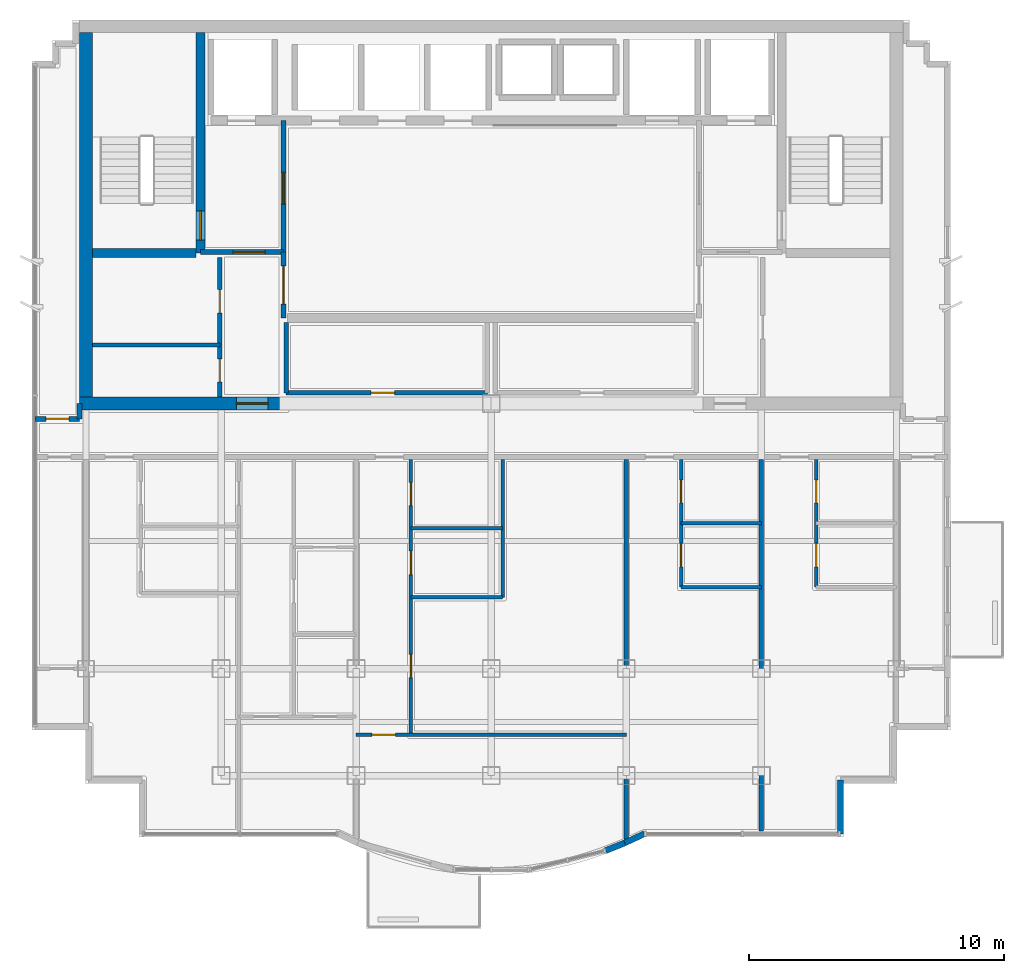
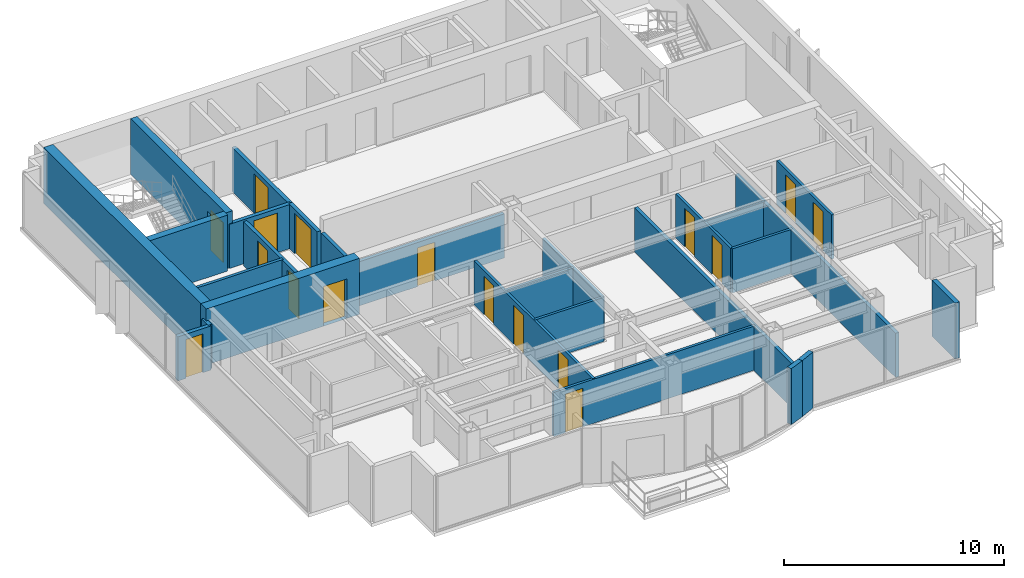
# One storey, part 5 of 9: 27 walls, 17 doors, 17 openings.
"""IFC4 building model written with IfcOpenShell, lengths in metres."""

from ifc_helpers import new_model, si_unit, direction, frame, frame_2d, origin, place, context, subcontext, project, spatial, rectangle, extrude, material, layer, layer_set, type_object, element, fill, save


model = new_model("IFC4")

# Units and contexts
model_context = context("Model", 3, precision=1e-05, world=origin(), true_north=direction((0.0, 1.0)))
body_context = subcontext(model_context, "Body", "Model", "MODEL_VIEW")
ifc_project = project(units=[si_unit("LENGTHUNIT", "METRE"), si_unit("AREAUNIT", "SQUARE_METRE"), si_unit("VOLUMEUNIT", "CUBIC_METRE"), si_unit("PLANEANGLEUNIT", "RADIAN"), si_unit("MASSUNIT", "GRAM", prefix="KILO")], contexts=[model_context])

# Site, building, storey
site_placement = place(None, origin())
site = spatial("IfcSite", under=ifc_project, at=site_placement, CompositionType="ELEMENT")
building_placement = place(site_placement, origin())
building = spatial("IfcBuilding", under=site, at=building_placement, Name="Qianlan Lanfeng Residences", CompositionType="ELEMENT")
storey_placement = place(building_placement, frame((0.0, 0.0, 242.89990234375)))
storey = spatial("IfcBuildingStorey", under=building, at=storey_placement, Name="L67", CompositionType="ELEMENT", Elevation=242.89990234375)

# Wall, opening, door
ifc_material_1 = material(Name="Concrete C49", Category="concrete")
ifc_layer_1 = layer(ifc_material_1, 0.35009765625)
ifc_layer_set_1 = layer_set([ifc_layer_1], Name="Concrete C49")
wall_type_1 = type_object("IfcWallType", Name="CW-RC-350", PredefinedType="SHEAR", material=ifc_layer_set_1)
wall_1_placement = place(storey_placement, frame((15.10009765625, 31.10009765625, 0.0), z_axis=(0.0, 0.0, 1.0), x_axis=(0.0, 1.0, 0.0)))
wall_1 = element("IfcWall", 1, at=wall_1_placement, inside=storey, type_object=wall_type_1, Name="L67 Core Shear Wall ST1E", PredefinedType="SHEAR", context=body_context, shape_type="SweptSolid", body=[
    extrude(rectangle(XDim=8.64990234375, YDim=0.35009765625, at=frame_2d((4.324951171875, 0.0))), origin(), (0.0, 0.0, 1.0), 3.110107421875),
])
opening_1_placement = place(wall_1_placement, frame((0.510009765625, 0.0, 0.0)))
opening_1 = element("IfcOpeningElement", 2, at=opening_1_placement, cuts=wall_1, Name="Opening L67-D07", PredefinedType="OPENING", context=body_context, shape_type="SweptSolid", body=[
    extrude(rectangle(XDim=1.14990234375, YDim=2.199951171875, at=frame_2d((0.574951171875, 1.10009765625))), frame((0.0, 0.18505859375, 0.0), z_axis=(0.0, -1.0, 0.0), x_axis=(1.0, 0.0, 0.0)), (0.0, 0.0, 1.0), 0.3701171875),
])
ifc_material_2 = material(Name="Painted Galvanised Steel Fire Door", Category="steel")
door_type_1 = type_object("IfcDoorType", Name="DT-ST1", OperationType="NOTDEFINED", PredefinedType="DOOR", material=ifc_material_2)
door_1_placement = place(opening_1_placement, frame((1.14990234375, 0.0, 0.0), z_axis=(0.0, 0.0, 1.0), x_axis=(-1.0, 0.0, 0.0)))
door_1 = element("IfcDoor", 3, at=door_1_placement, inside=storey, type_object=door_type_1, Name="L67 Exit Stair ST-1 Door L67-D07 (DT-ST1)", OperationType="SINGLE_SWING_RIGHT", OverallHeight=2.199951171875, OverallWidth=1.14990234375, PredefinedType="DOOR", context=body_context, shape_type="SweptSolid", body=[
    extrude(rectangle(XDim=1.14990234375, YDim=2.199951171875, at=frame_2d((0.574951171875, 1.10009765625))), frame((0.0, 0.02490234375, 0.0), z_axis=(0.0, -1.0, 0.0), x_axis=(1.0, 0.0, 0.0)), (0.0, 0.0, 1.0), 0.050048828125),
])
fill(opening_1, door_1)

# Walls
wall_2_placement = place(storey_placement, frame((10.85009765625, 31.10009765625, 0.0), z_axis=(0.0, 0.0, 1.0), x_axis=(1.0, 0.0, 0.0)))
element("IfcWall", 4, at=wall_2_placement, inside=storey, type_object=wall_type_1, Name="L67 Core Shear Wall ST1S", PredefinedType="SHEAR", context=body_context, shape_type="SweptSolid", body=[
    extrude(rectangle(XDim=4.074951171875, YDim=0.35009765625, at=frame_2d((2.03759765625, 0.0))), origin(), (0.0, 0.0, 1.0), 3.110107421875),
])
ifc_material_3 = material(Name="Concrete C70", Category="concrete")
ifc_layer_2 = layer(ifc_material_3, 0.5)
ifc_layer_set_2 = layer_set([ifc_layer_2], Name="Concrete C70")
wall_type_2 = type_object("IfcWallType", Name="CW-RC-500", PredefinedType="SHEAR", material=ifc_layer_set_2)
wall_3_placement = place(storey_placement, frame((10.60009765625, 25.449951171875, 0.0), z_axis=(0.0, 0.0, 1.0), x_axis=(0.0, 1.0, 0.0)))
element("IfcWall", 5, at=wall_3_placement, inside=storey, type_object=wall_type_2, Name="L67 Core Shear Wall W", PredefinedType="SHEAR", context=body_context, shape_type="SweptSolid", body=[
    extrude(rectangle(XDim=14.300048828125, YDim=0.5, at=frame_2d((7.14990234375, 0.0))), origin(), (0.0, 0.0, 1.0), 3.110107421875),
])

# Wall, opening, door
wall_4_placement = place(storey_placement, frame((10.35009765625, 25.199951171875, 0.0), z_axis=(0.0, 0.0, 1.0), x_axis=(1.0, 0.0, 0.0)))
wall_4 = element("IfcWall", 6, at=wall_4_placement, inside=storey, type_object=wall_type_2, Name="L67 Core Shear Wall SW", PredefinedType="SHEAR", context=body_context, shape_type="SweptSolid", body=[
    extrude(rectangle(XDim=8.0498046875, YDim=0.5, at=frame_2d((4.02490234375, 0.0))), origin(), (0.0, 0.0, 1.0), 3.110107421875),
])
opening_2_placement = place(wall_4_placement, frame((6.14990234375, 0.0, 0.0)))
opening_2 = element("IfcOpeningElement", 7, at=opening_2_placement, cuts=wall_4, Name="Opening L67-D01", PredefinedType="OPENING", context=body_context, shape_type="SweptSolid", body=[
    extrude(rectangle(XDim=1.25, YDim=2.199951171875, at=frame_2d((0.625, 1.10009765625))), frame((0.0, 0.260009765625, 0.0), z_axis=(0.0, -1.0, 0.0), x_axis=(1.0, 0.0, 0.0)), (0.0, 0.0, 1.0), 0.52001953125),
])
door_type_2 = type_object("IfcDoorType", Name="DT-FFL", OperationType="NOTDEFINED", PredefinedType="DOOR", material=ifc_material_2)
door_2_placement = place(opening_2_placement, frame((1.25, 0.0, 0.0), z_axis=(0.0, 0.0, 1.0), x_axis=(-1.0, 0.0, 0.0)))
door_2 = element("IfcDoor", 8, at=door_2_placement, inside=storey, type_object=door_type_2, Name="L67 West Core Lobby Smoke Door L67-D01 (DT-FFL)", OperationType="SINGLE_SWING_RIGHT", OverallHeight=2.199951171875, OverallWidth=1.25, PredefinedType="DOOR", context=body_context, shape_type="SweptSolid", body=[
    extrude(rectangle(XDim=1.25, YDim=2.199951171875, at=frame_2d((0.625, 1.10009765625))), frame((0.0, 0.02490234375, 0.0), z_axis=(0.0, -1.0, 0.0), x_axis=(1.0, 0.0, 0.0)), (0.0, 0.0, 1.0), 0.050048828125),
])
fill(opening_2, door_2)

# Walls
ifc_material_4 = material(Name="Concrete C42", Category="concrete")
ifc_layer_3 = layer(ifc_material_4, 0.239990234375)
ifc_layer_set_3 = layer_set([ifc_layer_3], Name="Concrete C42")
wall_type_3 = type_object("IfcWallType", Name="EW-240", PredefinedType="SOLIDWALL", material=ifc_layer_set_3)
wall_5_placement = place(storey_placement, frame((30.988037109375, 7.656982421875, 0.0), z_axis=(0.0, 0.0, 1.0), x_axis=(0.927870589467, 0.372902358805, 0.0)))
element("IfcWall", 9, at=wall_5_placement, inside=storey, type_object=wall_type_3, Name="L67 Exterior Facade Spandrel Wall 7", PredefinedType="SOLIDWALL", context=body_context, shape_type="SweptSolid", body=[
    extrude(rectangle(XDim=0.80712890625, YDim=0.239990234375, at=frame_2d((0.403564453125, 0.0))), origin(), (0.0, 0.0, 1.0), 3.110107421875),
])
wall_6_placement = place(storey_placement, frame((31.737060546875, 7.9580078125, 0.0), z_axis=(0.0, 0.0, 1.0), x_axis=(0.906190424584, 0.422869855147, 0.0)))
element("IfcWall", 10, at=wall_6_placement, inside=storey, type_object=wall_type_3, Name="L67 Exterior Facade Spandrel Wall 8", PredefinedType="SOLIDWALL", context=body_context, shape_type="SweptSolid", body=[
    extrude(rectangle(XDim=0.856201171875, YDim=0.239990234375, at=frame_2d((0.42822265625, 0.0))), origin(), (0.0, 0.0, 1.0), 3.110107421875),
])
wall_7_placement = place(storey_placement, frame((40.199951171875, 8.320068359375, 0.0), z_axis=(0.0, 0.0, 1.0), x_axis=(0.0, 1.0, 0.0)))
element("IfcWall", 11, at=wall_7_placement, inside=storey, type_object=wall_type_3, Name="L67 Exterior Facade Spandrel Wall 9", PredefinedType="SOLIDWALL", context=body_context, shape_type="SweptSolid", body=[
    extrude(rectangle(XDim=2.099853515625, YDim=0.239990234375, at=frame_2d((1.0498046875, 0.0))), origin(), (0.0, 0.0, 1.0), 3.110107421875),
])

# Wall, opening, door
ifc_material_5 = material(Name="Moisture-Resistant Gypsum Partition 135 mm")
ifc_layer_4 = layer(ifc_material_5, 0.135009765625)
ifc_layer_set_4 = layer_set([ifc_layer_4], Name="Moisture-Resistant Gypsum Partition 135 mm")
wall_type_4 = type_object("IfcWallType", Name="PW-135", PredefinedType="PARTITIONING", material=ifc_layer_set_4)
wall_8_placement = place(storey_placement, frame((21.199951171875, 12.202880859375, 0.0), z_axis=(0.0, 0.0, 1.0), x_axis=(1.0, 0.0, 0.0)))
wall_8 = element("IfcWall", 12, at=wall_8_placement, inside=storey, type_object=wall_type_4, Name="L67 U02 Living Divider", PredefinedType="PARTITIONING", context=body_context, shape_type="SweptSolid", body=[
    extrude(rectangle(XDim=10.60009765625, YDim=0.135009765625, at=frame_2d((5.300048828125, 0.0))), origin(), (0.0, 0.0, 1.0), 2.4501953125),
])
opening_3_placement = place(wall_8_placement, frame((0.614990234375, 0.0, 0.0)))
opening_3 = element("IfcOpeningElement", 13, at=opening_3_placement, cuts=wall_8, Name="Opening L67-D25", PredefinedType="OPENING", context=body_context, shape_type="SweptSolid", body=[
    extrude(rectangle(XDim=0.919921875, YDim=2.14990234375, at=frame_2d((0.4599609375, 1.074951171875))), frame((0.0, 0.07763671875, 0.0), z_axis=(0.0, -1.0, 0.0), x_axis=(1.0, 0.0, 0.0)), (0.0, 0.0, 1.0), 0.155029296875),
])
ifc_material_6 = material(Name="Glazed Timber Kitchen/Study Door", Category="wood")
door_type_3 = type_object("IfcDoorType", Name="DT-INT", OperationType="NOTDEFINED", PredefinedType="DOOR", material=ifc_material_6)
door_3_placement = place(opening_3_placement, frame((0.919921875, 0.0, 0.0), z_axis=(0.0, 0.0, 1.0), x_axis=(-1.0, 0.0, 0.0)))
door_3 = element("IfcDoor", 14, at=door_3_placement, inside=storey, type_object=door_type_3, Name="L67 U02 Living Passage Door L67-D25 (DT-INT)", OperationType="SINGLE_SWING_RIGHT", OverallHeight=2.14990234375, OverallWidth=0.919921875, PredefinedType="DOOR", context=body_context, shape_type="SweptSolid", body=[
    extrude(rectangle(XDim=0.919921875, YDim=2.14990234375, at=frame_2d((0.4599609375, 1.074951171875))), frame((0.0, 0.02490234375, 0.0), z_axis=(0.0, -1.0, 0.0), x_axis=(1.0, 0.0, 0.0)), (0.0, 0.0, 1.0), 0.050048828125),
])
fill(opening_3, door_3)

# Wall, openings, doors
wall_9_placement = place(storey_placement, frame((23.35009765625, 12.202880859375, 0.0), z_axis=(0.0, 0.0, 1.0), x_axis=(0.0, 1.0, 0.0)))
wall_9 = element("IfcWall", 15, at=wall_9_placement, inside=storey, type_object=wall_type_4, Name="L67 U02 Entry Hall Spine", PredefinedType="PARTITIONING", context=body_context, shape_type="SweptSolid", body=[
    extrude(rectangle(XDim=10.797119140625, YDim=0.135009765625, at=frame_2d((5.3984375, 0.0))), origin(), (0.0, 0.0, 1.0), 2.4501953125),
])
opening_4_placement = place(wall_9_placement, frame((2.239013671875, 0.0, 0.0)))
opening_4 = element("IfcOpeningElement", 16, at=opening_4_placement, cuts=wall_9, Name="Opening L67-D26", PredefinedType="OPENING", context=body_context, shape_type="SweptSolid", body=[
    extrude(rectangle(XDim=0.919921875, YDim=2.14990234375, at=frame_2d((0.4599609375, 1.074951171875))), frame((0.0, 0.07763671875, 0.0), z_axis=(0.0, -1.0, 0.0), x_axis=(1.0, 0.0, 0.0)), (0.0, 0.0, 1.0), 0.155029296875),
])
opening_5_placement = place(wall_9_placement, frame((6.287109375, 0.0, 0.0)))
opening_5 = element("IfcOpeningElement", 17, at=opening_5_placement, cuts=wall_9, Name="Opening L67-D27", PredefinedType="OPENING", context=body_context, shape_type="SweptSolid", body=[
    extrude(rectangle(XDim=0.919921875, YDim=2.14990234375, at=frame_2d((0.4599609375, 1.074951171875))), frame((0.0, 0.07763671875, 0.0), z_axis=(0.0, -1.0, 0.0), x_axis=(1.0, 0.0, 0.0)), (0.0, 0.0, 1.0), 0.155029296875),
])
opening_6_placement = place(wall_9_placement, frame((8.9970703125, 0.0, 0.0)))
opening_6 = element("IfcOpeningElement", 18, at=opening_6_placement, cuts=wall_9, Name="Opening L67-D28", PredefinedType="OPENING", context=body_context, shape_type="SweptSolid", body=[
    extrude(rectangle(XDim=0.89990234375, YDim=2.14990234375, at=frame_2d((0.449951171875, 1.074951171875))), frame((0.0, 0.07763671875, 0.0), z_axis=(0.0, -1.0, 0.0), x_axis=(1.0, 0.0, 0.0)), (0.0, 0.0, 1.0), 0.155029296875),
])
door_4_placement = place(opening_4_placement, origin())
door_4 = element("IfcDoor", 19, at=door_4_placement, inside=storey, type_object=door_type_3, Name="L67 U02 Study Door L67-D26 (DT-INT)", OperationType="SINGLE_SWING_RIGHT", OverallHeight=2.14990234375, OverallWidth=0.919921875, PredefinedType="DOOR", context=body_context, shape_type="SweptSolid", body=[
    extrude(rectangle(XDim=0.919921875, YDim=2.14990234375, at=frame_2d((0.4599609375, 1.074951171875))), frame((0.0, 0.02490234375, 0.0), z_axis=(0.0, -1.0, 0.0), x_axis=(1.0, 0.0, 0.0)), (0.0, 0.0, 1.0), 0.050048828125),
])
fill(opening_4, door_4)
door_5_placement = place(opening_5_placement, origin())
door_5 = element("IfcDoor", 20, at=door_5_placement, inside=storey, type_object=door_type_3, Name="L67 U02 Kitchen Door L67-D27 (DT-INT)", OperationType="SINGLE_SWING_LEFT", OverallHeight=2.14990234375, OverallWidth=0.919921875, PredefinedType="DOOR", context=body_context, shape_type="SweptSolid", body=[
    extrude(rectangle(XDim=0.919921875, YDim=2.14990234375, at=frame_2d((0.4599609375, 1.074951171875))), frame((0.0, 0.02490234375, 0.0), z_axis=(0.0, -1.0, 0.0), x_axis=(1.0, 0.0, 0.0)), (0.0, 0.0, 1.0), 0.050048828125),
])
fill(opening_5, door_5)
ifc_material_7 = material(Name="Moisture-Resistant Timber Leaf", Category="wood")
door_type_4 = type_object("IfcDoorType", Name="DT-WC", OperationType="NOTDEFINED", PredefinedType="DOOR", material=ifc_material_7)
door_6_placement = place(opening_6_placement, origin())
door_6 = element("IfcDoor", 21, at=door_6_placement, inside=storey, type_object=door_type_4, Name="L67 U02 Bathroom Door L67-D28 (DT-WC)", OperationType="SINGLE_SWING_RIGHT", OverallHeight=2.14990234375, OverallWidth=0.89990234375, PredefinedType="DOOR", context=body_context, shape_type="SweptSolid", body=[
    extrude(rectangle(XDim=0.89990234375, YDim=2.14990234375, at=frame_2d((0.449951171875, 1.074951171875))), frame((0.0, 0.02490234375, 0.0), z_axis=(0.0, -1.0, 0.0), x_axis=(1.0, 0.0, 0.0)), (0.0, 0.0, 1.0), 0.050048828125),
])
fill(opening_6, door_6)

# Walls
wall_10_placement = place(storey_placement, frame((23.35009765625, 17.60009765625, 0.0), z_axis=(0.0, 0.0, 1.0), x_axis=(1.0, 0.0, 0.0)))
element("IfcWall", 22, at=wall_10_placement, inside=storey, type_object=wall_type_4, Name="L67 U02 Kitchen South Wall", PredefinedType="PARTITIONING", context=body_context, shape_type="SweptSolid", body=[
    extrude(rectangle(XDim=3.599853515625, YDim=0.135009765625, at=frame_2d((1.7998046875, 0.0))), origin(), (0.0, 0.0, 1.0), 2.4501953125),
])
wall_11_placement = place(storey_placement, frame((26.949951171875, 17.60009765625, 0.0), z_axis=(0.0, 0.0, 1.0), x_axis=(0.0, 1.0, 0.0)))
element("IfcWall", 23, at=wall_11_placement, inside=storey, type_object=wall_type_4, Name="L67 U02 Dining East Wall", PredefinedType="PARTITIONING", context=body_context, shape_type="SweptSolid", body=[
    extrude(rectangle(XDim=5.39990234375, YDim=0.135009765625, at=frame_2d((2.699951171875, 0.0))), origin(), (0.0, 0.0, 1.0), 2.4501953125),
])
wall_12_placement = place(storey_placement, frame((23.35009765625, 20.300048828125, 0.0), z_axis=(0.0, 0.0, 1.0), x_axis=(1.0, 0.0, 0.0)))
element("IfcWall", 24, at=wall_12_placement, inside=storey, type_object=wall_type_4, Name="L67 U02 Bathroom South Wall", PredefinedType="PARTITIONING", context=body_context, shape_type="SweptSolid", body=[
    extrude(rectangle(XDim=3.599853515625, YDim=0.135009765625, at=frame_2d((1.7998046875, 0.0))), origin(), (0.0, 0.0, 1.0), 2.4501953125),
])

# Wall, openings, doors
wall_13_placement = place(storey_placement, frame((33.949951171875, 18.0, 0.0), z_axis=(0.0, 0.0, 1.0), x_axis=(0.0, 1.0, 0.0)))
wall_13 = element("IfcWall", 25, at=wall_13_placement, inside=storey, type_object=wall_type_4, Name="L67 U03 Wet Stack Spine", PredefinedType="PARTITIONING", context=body_context, shape_type="SweptSolid", body=[
    extrude(rectangle(XDim=5.0, YDim=0.135009765625, at=frame_2d((2.5, 0.0))), origin(), (0.0, 0.0, 1.0), 2.4501953125),
])
opening_7_placement = place(wall_13_placement, frame((0.7900390625, 0.0, 0.0)))
opening_7 = element("IfcOpeningElement", 26, at=opening_7_placement, cuts=wall_13, Name="Opening L67-D30", PredefinedType="OPENING", context=body_context, shape_type="SweptSolid", body=[
    extrude(rectangle(XDim=0.919921875, YDim=2.14990234375, at=frame_2d((0.4599609375, 1.074951171875))), frame((0.0, 0.07763671875, 0.0), z_axis=(0.0, -1.0, 0.0), x_axis=(1.0, 0.0, 0.0)), (0.0, 0.0, 1.0), 0.155029296875),
])
opening_8_placement = place(wall_13_placement, frame((3.300048828125, 0.0, 0.0)))
opening_8 = element("IfcOpeningElement", 27, at=opening_8_placement, cuts=wall_13, Name="Opening L67-D31", PredefinedType="OPENING", context=body_context, shape_type="SweptSolid", body=[
    extrude(rectangle(XDim=0.89990234375, YDim=2.14990234375, at=frame_2d((0.449951171875, 1.074951171875))), frame((0.0, 0.07763671875, 0.0), z_axis=(0.0, -1.0, 0.0), x_axis=(1.0, 0.0, 0.0)), (0.0, 0.0, 1.0), 0.155029296875),
])
door_7_placement = place(opening_7_placement, origin())
door_7 = element("IfcDoor", 28, at=door_7_placement, inside=storey, type_object=door_type_3, Name="L67 U03 Kitchen Door L67-D30 (DT-INT)", OperationType="SINGLE_SWING_RIGHT", OverallHeight=2.14990234375, OverallWidth=0.919921875, PredefinedType="DOOR", context=body_context, shape_type="SweptSolid", body=[
    extrude(rectangle(XDim=0.919921875, YDim=2.14990234375, at=frame_2d((0.4599609375, 1.074951171875))), frame((0.0, 0.02490234375, 0.0), z_axis=(0.0, -1.0, 0.0), x_axis=(1.0, 0.0, 0.0)), (0.0, 0.0, 1.0), 0.050048828125),
])
fill(opening_7, door_7)
door_8_placement = place(opening_8_placement, origin())
door_8 = element("IfcDoor", 29, at=door_8_placement, inside=storey, type_object=door_type_4, Name="L67 U03 Bathroom Door L67-D31 (DT-WC)", OperationType="SINGLE_SWING_LEFT", OverallHeight=2.14990234375, OverallWidth=0.89990234375, PredefinedType="DOOR", context=body_context, shape_type="SweptSolid", body=[
    extrude(rectangle(XDim=0.89990234375, YDim=2.14990234375, at=frame_2d((0.449951171875, 1.074951171875))), frame((0.0, 0.02490234375, 0.0), z_axis=(0.0, -1.0, 0.0), x_axis=(1.0, 0.0, 0.0)), (0.0, 0.0, 1.0), 0.050048828125),
])
fill(opening_8, door_8)

# Walls
for number, where, z_axis, x_axis, name in (
    (30, (33.949951171875, 18.0, 0.0), (0.0, 0.0, 1.0), (1.0, 0.0, 0.0), "L67 U03 Kitchen South Wall"),
    (31, (33.949951171875, 20.5, 0.0), (0.0, 0.0, 1.0), (1.0, 0.0, 0.0), "L67 U03 Bathroom South Wall"),
):
    element("IfcWall", number, at=place(storey_placement, frame(where, z_axis=z_axis, x_axis=x_axis)), inside=storey, type_object=wall_type_4, Name=name, PredefinedType="PARTITIONING", context=body_context, shape_type="SweptSolid", body=[
        extrude(rectangle(XDim=3.150146484375, YDim=0.135009765625, at=frame_2d((1.5751953125, 0.0))), origin(), (0.0, 0.0, 1.0), 2.4501953125),
    ])

# Wall, openings, doors
wall_14_placement = place(storey_placement, frame((39.25, 18.0, 0.0), z_axis=(0.0, 0.0, 1.0), x_axis=(0.0, 1.0, 0.0)))
wall_14 = element("IfcWall", 32, at=wall_14_placement, inside=storey, type_object=wall_type_4, Name="L67 U04 Wet Stack Spine", PredefinedType="PARTITIONING", context=body_context, shape_type="SweptSolid", body=[
    extrude(rectangle(XDim=5.0, YDim=0.135009765625, at=frame_2d((2.5, 0.0))), origin(), (0.0, 0.0, 1.0), 2.4501953125),
])
opening_9_placement = place(wall_14_placement, frame((0.7900390625, 0.0, 0.0)))
opening_9 = element("IfcOpeningElement", 33, at=opening_9_placement, cuts=wall_14, Name="Opening L67-D33", PredefinedType="OPENING", context=body_context, shape_type="SweptSolid", body=[
    extrude(rectangle(XDim=0.919921875, YDim=2.14990234375, at=frame_2d((0.4599609375, 1.074951171875))), frame((0.0, 0.07763671875, 0.0), z_axis=(0.0, -1.0, 0.0), x_axis=(1.0, 0.0, 0.0)), (0.0, 0.0, 1.0), 0.155029296875),
])
opening_10_placement = place(wall_14_placement, frame((3.300048828125, 0.0, 0.0)))
opening_10 = element("IfcOpeningElement", 34, at=opening_10_placement, cuts=wall_14, Name="Opening L67-D34", PredefinedType="OPENING", context=body_context, shape_type="SweptSolid", body=[
    extrude(rectangle(XDim=0.89990234375, YDim=2.14990234375, at=frame_2d((0.449951171875, 1.074951171875))), frame((0.0, 0.07763671875, 0.0), z_axis=(0.0, -1.0, 0.0), x_axis=(1.0, 0.0, 0.0)), (0.0, 0.0, 1.0), 0.155029296875),
])
door_9_placement = place(opening_9_placement, origin())
door_9 = element("IfcDoor", 35, at=door_9_placement, inside=storey, type_object=door_type_3, Name="L67 U04 Kitchen Door L67-D33 (DT-INT)", OperationType="SINGLE_SWING_LEFT", OverallHeight=2.14990234375, OverallWidth=0.919921875, PredefinedType="DOOR", context=body_context, shape_type="SweptSolid", body=[
    extrude(rectangle(XDim=0.919921875, YDim=2.14990234375, at=frame_2d((0.4599609375, 1.074951171875))), frame((0.0, 0.02490234375, 0.0), z_axis=(0.0, -1.0, 0.0), x_axis=(1.0, 0.0, 0.0)), (0.0, 0.0, 1.0), 0.050048828125),
])
fill(opening_9, door_9)
door_10_placement = place(opening_10_placement, origin())
door_10 = element("IfcDoor", 36, at=door_10_placement, inside=storey, type_object=door_type_4, Name="L67 U04 Bathroom Door L67-D34 (DT-WC)", OperationType="SINGLE_SWING_RIGHT", OverallHeight=2.14990234375, OverallWidth=0.89990234375, PredefinedType="DOOR", context=body_context, shape_type="SweptSolid", body=[
    extrude(rectangle(XDim=0.89990234375, YDim=2.14990234375, at=frame_2d((0.449951171875, 1.074951171875))), frame((0.0, 0.02490234375, 0.0), z_axis=(0.0, -1.0, 0.0), x_axis=(1.0, 0.0, 0.0)), (0.0, 0.0, 1.0), 0.050048828125),
])
fill(opening_10, door_10)

# Wall
ifc_material_8 = material(Name="Acoustic Drywall Partition 150 mm")
ifc_layer_5 = layer(ifc_material_8, 0.14990234375)
ifc_layer_set_5 = layer_set([ifc_layer_5], Name="Acoustic Drywall Partition 150 mm")
wall_type_5 = type_object("IfcWallType", Name="PW-150", PredefinedType="PARTITIONING", material=ifc_layer_set_5)
wall_15_placement = place(storey_placement, frame((10.85009765625, 27.5, 0.0), z_axis=(0.0, 0.0, 1.0), x_axis=(1.0, 0.0, 0.0)))
element("IfcWall", 37, at=wall_15_placement, inside=storey, type_object=wall_type_5, Name="L67 Core West Split", PredefinedType="PARTITIONING", context=body_context, shape_type="SweptSolid", body=[
    extrude(rectangle(XDim=5.0, YDim=0.14990234375, at=frame_2d((2.5, 0.0))), origin(), (0.0, 0.0, 1.0), 2.4501953125),
])

# Wall, openings, doors
ifc_material_9 = material(Name="Double-Layer Acoustic Gypsum Stud Wall 180 mm")
ifc_layer_6 = layer(ifc_material_9, 0.179931640625)
ifc_layer_set_6 = layer_set([ifc_layer_6], Name="Double-Layer Acoustic Gypsum Stud Wall 180 mm")
wall_type_6 = type_object("IfcWallType", Name="PW-180", PredefinedType="PARTITIONING", material=ifc_layer_set_6)
wall_16_placement = place(storey_placement, frame((15.85009765625, 25.449951171875, 0.0), z_axis=(0.0, 0.0, 1.0), x_axis=(0.0, 1.0, 0.0)))
wall_16 = element("IfcWall", 38, at=wall_16_placement, inside=storey, type_object=wall_type_6, Name="L67 Core West Service Room Wall", PredefinedType="PARTITIONING", context=body_context, shape_type="SweptSolid", body=[
    extrude(rectangle(XDim=5.47509765625, YDim=0.179931640625, at=frame_2d((2.737548828125, 0.0))), origin(), (0.0, 0.0, 1.0), 2.4501953125),
])
opening_11_placement = place(wall_16_placement, frame((0.60009765625, 0.0, 0.0)))
opening_11 = element("IfcOpeningElement", 39, at=opening_11_placement, cuts=wall_16, Name="Opening L67-D09", PredefinedType="OPENING", context=body_context, shape_type="SweptSolid", body=[
    extrude(rectangle(XDim=0.89990234375, YDim=2.14990234375, at=frame_2d((0.449951171875, 1.074951171875))), frame((0.0, 0.10009765625, 0.0), z_axis=(0.0, -1.0, 0.0), x_axis=(1.0, 0.0, 0.0)), (0.0, 0.0, 1.0), 0.199951171875),
])
opening_12_placement = place(wall_16_placement, frame((3.302001953125, 0.0, 0.0)))
opening_12 = element("IfcOpeningElement", 40, at=opening_12_placement, cuts=wall_16, Name="Opening L67-D10", PredefinedType="OPENING", context=body_context, shape_type="SweptSolid", body=[
    extrude(rectangle(XDim=0.919921875, YDim=2.14990234375, at=frame_2d((0.4599609375, 1.074951171875))), frame((0.0, 0.10009765625, 0.0), z_axis=(0.0, -1.0, 0.0), x_axis=(1.0, 0.0, 0.0)), (0.0, 0.0, 1.0), 0.199951171875),
])
door_11_placement = place(opening_12_placement, origin())
door_11 = element("IfcDoor", 41, at=door_11_placement, inside=storey, type_object=door_type_3, Name="L67 Janitor Closet Door L67-D10 (DT-INT)", OperationType="SINGLE_SWING_RIGHT", OverallHeight=2.14990234375, OverallWidth=0.919921875, PredefinedType="DOOR", context=body_context, shape_type="SweptSolid", body=[
    extrude(rectangle(XDim=0.919921875, YDim=2.14990234375, at=frame_2d((0.4599609375, 1.074951171875))), frame((0.0, 0.02490234375, 0.0), z_axis=(0.0, -1.0, 0.0), x_axis=(1.0, 0.0, 0.0)), (0.0, 0.0, 1.0), 0.050048828125),
])
fill(opening_12, door_11)
door_12_placement = place(opening_11_placement, frame((0.89990234375, 0.0, 0.0), z_axis=(0.0, 0.0, 1.0), x_axis=(-1.0, 0.0, 0.0)))
door_12 = element("IfcDoor", 42, at=door_12_placement, inside=storey, type_object=door_type_4, Name="L67 Core Staff WC Door L67-D09 (DT-WC)", OperationType="SINGLE_SWING_RIGHT", OverallHeight=2.14990234375, OverallWidth=0.89990234375, PredefinedType="DOOR", context=body_context, shape_type="SweptSolid", body=[
    extrude(rectangle(XDim=0.89990234375, YDim=2.14990234375, at=frame_2d((0.449951171875, 1.074951171875))), frame((0.0, 0.02490234375, 0.0), z_axis=(0.0, -1.0, 0.0), x_axis=(1.0, 0.0, 0.0)), (0.0, 0.0, 1.0), 0.050048828125),
])
fill(opening_11, door_12)

# Wall
wall_17_placement = place(storey_placement, frame((18.449951171875, 25.6201171875, 0.0), z_axis=(0.0, 0.0, 1.0), x_axis=(0.0, 1.0, 0.0)))
element("IfcWall", 43, at=wall_17_placement, inside=storey, type_object=wall_type_6, Name="L67 Reclaimed Low-Bank Room West Wall", PredefinedType="PARTITIONING", context=body_context, shape_type="SweptSolid", body=[
    extrude(rectangle(XDim=2.7548828125, YDim=0.179931640625, at=frame_2d((1.37744140625, 0.0))), origin(), (0.0, 0.0, 1.0), 2.4501953125),
])

# Wall, opening, door
wall_18_placement = place(storey_placement, frame((18.449951171875, 25.6201171875, 0.0), z_axis=(0.0, 0.0, 1.0), x_axis=(1.0, 0.0, 0.0)))
wall_18 = element("IfcWall", 44, at=wall_18_placement, inside=storey, type_object=wall_type_6, Name="L67 Reclaimed Low-Bank Room South Wall", PredefinedType="PARTITIONING", context=body_context, shape_type="SweptSolid", body=[
    extrude(rectangle(XDim=7.900146484375, YDim=0.179931640625, at=frame_2d((3.9501953125, 0.0))), origin(), (0.0, 0.0, 1.0), 2.4501953125),
])
opening_13_placement = place(wall_18_placement, frame((3.340087890625, 0.0, 0.0)))
opening_13 = element("IfcOpeningElement", 45, at=opening_13_placement, cuts=wall_18, Name="Opening L67-D14", PredefinedType="OPENING", context=body_context, shape_type="SweptSolid", body=[
    extrude(rectangle(XDim=0.919921875, YDim=2.14990234375, at=frame_2d((0.4599609375, 1.074951171875))), frame((0.0, 0.10009765625, 0.0), z_axis=(0.0, -1.0, 0.0), x_axis=(1.0, 0.0, 0.0)), (0.0, 0.0, 1.0), 0.199951171875),
])
door_13_placement = place(opening_13_placement, origin())
door_13 = element("IfcDoor", 46, at=door_13_placement, inside=storey, type_object=door_type_3, Name="L67 Reclaimed Core Salon Door L67-D14 (DT-INT)", OperationType="SINGLE_SWING_RIGHT", OverallHeight=2.14990234375, OverallWidth=0.919921875, PredefinedType="DOOR", context=body_context, shape_type="SweptSolid", body=[
    extrude(rectangle(XDim=0.919921875, YDim=2.14990234375, at=frame_2d((0.4599609375, 1.074951171875))), frame((0.0, 0.02490234375, 0.0), z_axis=(0.0, -1.0, 0.0), x_axis=(1.0, 0.0, 0.0)), (0.0, 0.0, 1.0), 0.050048828125),
])
fill(opening_13, door_13)

# Walls
wall_19_placement = place(storey_placement, frame((31.800048828125, 8.097900390625, 0.0), z_axis=(0.0, 0.0, 1.0), x_axis=(0.0, 1.0, 0.0)))
element("IfcWall", 47, at=wall_19_placement, inside=storey, type_object=wall_type_6, Name="L67 Inter-Tenancy Party Wall 3", PredefinedType="PARTITIONING", context=body_context, shape_type="SweptSolid", body=[
    extrude(rectangle(XDim=14.902099609375, YDim=0.179931640625, at=frame_2d((7.451171875, 0.0))), origin(), (0.0, 0.0, 1.0), 2.4501953125),
])
wall_20_placement = place(storey_placement, frame((37.10009765625, 8.419921875, 0.0), z_axis=(0.0, 0.0, 1.0), x_axis=(0.0, 1.0, 0.0)))
element("IfcWall", 48, at=wall_20_placement, inside=storey, type_object=wall_type_6, Name="L67 Inter-Tenancy Party Wall 4", PredefinedType="PARTITIONING", context=body_context, shape_type="SweptSolid", body=[
    extrude(rectangle(XDim=14.580078125, YDim=0.179931640625, at=frame_2d((7.2900390625, 0.0))), origin(), (0.0, 0.0, 1.0), 2.4501953125),
])

# Wall, opening, door
ifc_material_10 = material(Name="Autoclaved Aerated Concrete Blockwork 200 mm", Category="masonry")
ifc_layer_7 = layer(ifc_material_10, 0.199951171875)
ifc_layer_set_7 = layer_set([ifc_layer_7], Name="Autoclaved Aerated Concrete Blockwork 200 mm")
wall_type_7 = type_object("IfcWallType", Name="PW-200", PredefinedType="PARTITIONING", material=ifc_layer_set_7)
wall_21_placement = place(storey_placement, frame((15.10009765625, 31.14990234375, 0.0), z_axis=(0.0, 0.0, 1.0), x_axis=(1.0, 0.0, 0.0)))
wall_21 = element("IfcWall", 49, at=wall_21_placement, inside=storey, type_object=wall_type_7, Name="L67 Firefighting Lobby 1 South Wall", PredefinedType="PARTITIONING", context=body_context, shape_type="SweptSolid", body=[
    extrude(rectangle(XDim=3.25, YDim=0.199951171875, at=frame_2d((1.625, 0.0))), origin(), (0.0, 0.0, 1.0), 2.4501953125),
])
opening_14_placement = place(wall_21_placement, frame((1.27490234375, 0.0, 0.0)))
opening_14 = element("IfcOpeningElement", 50, at=opening_14_placement, cuts=wall_21, Name="Opening L67-D03", PredefinedType="OPENING", context=body_context, shape_type="SweptSolid", body=[
    extrude(rectangle(XDim=1.25, YDim=2.199951171875, at=frame_2d((0.625, 1.10009765625))), frame((0.0, 0.10986328125, 0.0), z_axis=(0.0, -1.0, 0.0), x_axis=(1.0, 0.0, 0.0)), (0.0, 0.0, 1.0), 0.219970703125),
])
door_14_placement = place(opening_14_placement, origin())
door_14 = element("IfcDoor", 51, at=door_14_placement, inside=storey, type_object=door_type_2, Name="L67 Firefighting Lobby 1 Entry Door L67-D03 (DT-FFL)", OperationType="SINGLE_SWING_LEFT", OverallHeight=2.199951171875, OverallWidth=1.25, PredefinedType="DOOR", context=body_context, shape_type="SweptSolid", body=[
    extrude(rectangle(XDim=1.25, YDim=2.199951171875, at=frame_2d((0.625, 1.10009765625))), frame((0.0, 0.02490234375, 0.0), z_axis=(0.0, -1.0, 0.0), x_axis=(1.0, 0.0, 0.0)), (0.0, 0.0, 1.0), 0.050048828125),
])
fill(opening_14, door_14)

wall_22_placement = place(storey_placement, frame((18.35009765625, 31.14990234375, 0.0), z_axis=(0.0, 0.0, 1.0), x_axis=(0.0, 1.0, 0.0)))
wall_22 = element("IfcWall", 52, at=wall_22_placement, inside=storey, type_object=wall_type_7, Name="L67 Firefighting Lobby 1 East Wall", PredefinedType="PARTITIONING", context=body_context, shape_type="SweptSolid", body=[
    extrude(rectangle(XDim=5.150146484375, YDim=0.199951171875, at=frame_2d((2.5751953125, 0.0))), origin(), (0.0, 0.0, 1.0), 2.4501953125),
])
opening_15_placement = place(wall_22_placement, frame((1.875, 0.0, 0.0)))
opening_15 = element("IfcOpeningElement", 53, at=opening_15_placement, cuts=wall_22, Name="Opening L67-D04", PredefinedType="OPENING", context=body_context, shape_type="SweptSolid", body=[
    extrude(rectangle(XDim=1.25, YDim=2.199951171875, at=frame_2d((0.625, 1.10009765625))), frame((0.0, 0.10986328125, 0.0), z_axis=(0.0, -1.0, 0.0), x_axis=(1.0, 0.0, 0.0)), (0.0, 0.0, 1.0), 0.219970703125),
])
door_15_placement = place(opening_15_placement, origin())
door_15 = element("IfcDoor", 54, at=door_15_placement, inside=storey, type_object=door_type_2, Name="L67 Firefighting Lobby 1 Lift Lobby Door L67-D04 (DT-FFL)", OperationType="SINGLE_SWING_RIGHT", OverallHeight=2.199951171875, OverallWidth=1.25, PredefinedType="DOOR", context=body_context, shape_type="SweptSolid", body=[
    extrude(rectangle(XDim=1.25, YDim=2.199951171875, at=frame_2d((0.625, 1.10009765625))), frame((0.0, 0.02490234375, 0.0), z_axis=(0.0, -1.0, 0.0), x_axis=(1.0, 0.0, 0.0)), (0.0, 0.0, 1.0), 0.050048828125),
])
fill(opening_15, door_15)

wall_23_placement = place(storey_placement, frame((18.35009765625, 28.550048828125, 0.0), z_axis=(0.0, 0.0, 1.0), x_axis=(0.0, 1.0, 0.0)))
wall_23 = element("IfcWall", 55, at=wall_23_placement, inside=storey, type_object=wall_type_7, Name="L67 Lift Lobby West Connector Wall", PredefinedType="PARTITIONING", context=body_context, shape_type="SweptSolid", body=[
    extrude(rectangle(XDim=2.599853515625, YDim=0.199951171875, at=frame_2d((1.2998046875, 0.0))), origin(), (0.0, 0.0, 1.0), 2.4501953125),
])
opening_16_placement = place(wall_23_placement, frame((0.550048828125, 0.0, 0.0)))
opening_16 = element("IfcOpeningElement", 56, at=opening_16_placement, cuts=wall_23, Name="Opening L67-D12", PredefinedType="OPENING", context=body_context, shape_type="SweptSolid", body=[
    extrude(rectangle(XDim=1.5, YDim=2.25, at=frame_2d((0.75, 1.125))), frame((0.0, 0.10986328125, 0.0), z_axis=(0.0, -1.0, 0.0), x_axis=(1.0, 0.0, 0.0)), (0.0, 0.0, 1.0), 0.219970703125),
])
ifc_material_11 = material(Name="Timber Veneer Acoustic Fire Door", Category="wood")
door_type_5 = type_object("IfcDoorType", Name="DT-COR1", OperationType="NOTDEFINED", PredefinedType="DOOR", material=ifc_material_11)
door_16_placement = place(opening_16_placement, origin())
door_16 = element("IfcDoor", 57, at=door_16_placement, inside=storey, type_object=door_type_5, Name="L67 Lift Lobby West Portal Door L67-D12 (DT-COR1)", OperationType="DOUBLE_DOOR_SINGLE_SWING", OverallHeight=2.25, OverallWidth=1.5, PredefinedType="DOOR", context=body_context, shape_type="SweptSolid", body=[
    extrude(rectangle(XDim=1.5, YDim=2.25, at=frame_2d((0.75, 1.125))), frame((0.0, 0.02490234375, 0.0), z_axis=(0.0, -1.0, 0.0), x_axis=(1.0, 0.0, 0.0)), (0.0, 0.0, 1.0), 0.050048828125),
])
fill(opening_16, door_16)

wall_24_placement = place(storey_placement, frame((8.60009765625, 24.60009765625, 0.0), z_axis=(0.0, 0.0, 1.0), x_axis=(1.0, 0.0, 0.0)))
wall_24 = element("IfcWall", 58, at=wall_24_placement, inside=storey, type_object=wall_type_7, Name="L67 Corridor NW Wall", PredefinedType="PARTITIONING", context=body_context, shape_type="SweptSolid", body=[
    extrude(rectangle(XDim=1.75, YDim=0.199951171875, at=frame_2d((0.875, 0.0))), origin(), (0.0, 0.0, 1.0), 2.4501953125),
])
opening_17_placement = place(wall_24_placement, frame((0.425048828125, 0.0, 0.0)))
opening_17 = element("IfcOpeningElement", 59, at=opening_17_placement, cuts=wall_24, Name="Opening L67-D39", PredefinedType="OPENING", context=body_context, shape_type="SweptSolid", body=[
    extrude(rectangle(XDim=0.89990234375, YDim=2.14990234375, at=frame_2d((0.449951171875, 1.074951171875))), frame((0.0, 0.10986328125, 0.0), z_axis=(0.0, -1.0, 0.0), x_axis=(1.0, 0.0, 0.0)), (0.0, 0.0, 1.0), 0.219970703125),
])
door_17_placement = place(opening_17_placement, origin())
door_17 = element("IfcDoor", 60, at=door_17_placement, inside=storey, type_object=door_type_4, Name="L67 WW Amenity Salon Door L67-D39 (DT-WC)", OperationType="SINGLE_SWING_LEFT", OverallHeight=2.14990234375, OverallWidth=0.89990234375, PredefinedType="DOOR", context=body_context, shape_type="SweptSolid", body=[
    extrude(rectangle(XDim=0.89990234375, YDim=2.14990234375, at=frame_2d((0.449951171875, 1.074951171875))), frame((0.0, 0.02490234375, 0.0), z_axis=(0.0, -1.0, 0.0), x_axis=(1.0, 0.0, 0.0)), (0.0, 0.0, 1.0), 0.050048828125),
])
fill(opening_17, door_17)

# Wall
wall_25_placement = place(storey_placement, frame((10.35009765625, 24.60009765625, 0.0), z_axis=(0.0, 0.0, 1.0), x_axis=(0.0, 1.0, 0.0)))
element("IfcWall", 61, at=wall_25_placement, inside=storey, type_object=wall_type_7, Name="L67 NW Wing Core Return Wall", PredefinedType="PARTITIONING", context=body_context, shape_type="SweptSolid", body=[
    extrude(rectangle(XDim=0.599853515625, YDim=0.199951171875, at=frame_2d((0.2998046875, 0.0))), origin(), (0.0, 0.0, 1.0), 2.4501953125),
])

save(model, "model.ifc")
